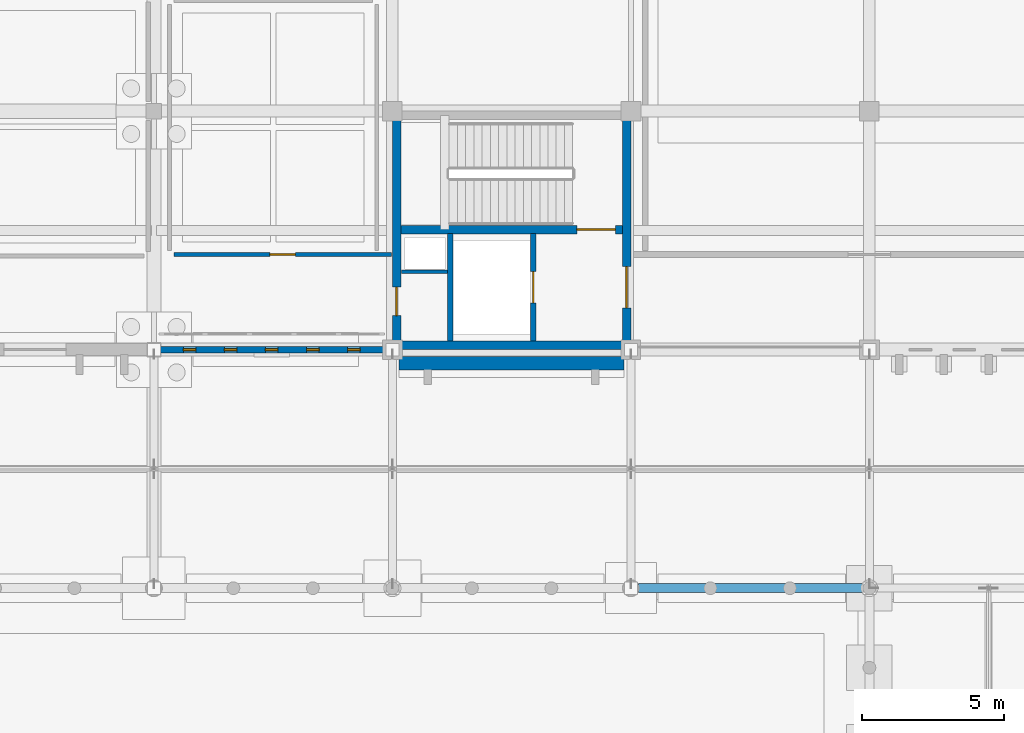
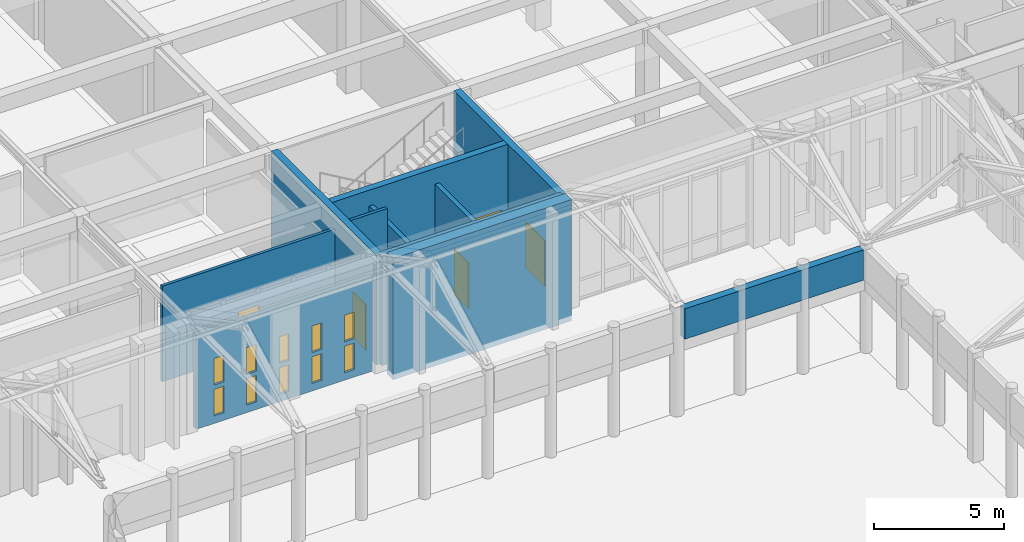
# One storey, part 121 of 143: 11 walls, 10 windows, 5 doors, 15 openings.
"""IFC4 building model written with IfcOpenShell, lengths in metres."""

from ifc_helpers import new_model, si_unit, direction, frame, frame_2d, origin, place, context, subcontext, project, spatial, rectangle, extrude, material, layer, layer_set, type_object, element, fill, save


model = new_model("IFC4")

# Units and contexts
model_context = context("Model", 3, precision=1e-05, world=origin(), true_north=direction((0.0, 1.0)))
body_context = subcontext(model_context, "Body", "Model", "MODEL_VIEW")
ifc_project = project(units=[si_unit("LENGTHUNIT", "METRE"), si_unit("AREAUNIT", "SQUARE_METRE"), si_unit("VOLUMEUNIT", "CUBIC_METRE"), si_unit("PLANEANGLEUNIT", "RADIAN"), si_unit("MASSUNIT", "GRAM", prefix="KILO")], contexts=[model_context])

# Site, building, storey
site_placement = place(None, origin())
site = spatial("IfcSite", under=ifc_project, at=site_placement, CompositionType="ELEMENT")
building_placement = place(site_placement, origin())
building = spatial("IfcBuilding", under=site, at=building_placement, Name="Kveldsbrygga Polytechnic", CompositionType="ELEMENT")
storey_placement = place(building_placement, origin())
storey = spatial("IfcBuildingStorey", under=building, at=storey_placement, Name="L00", CompositionType="ELEMENT", Elevation=0.0)

# Walls
ifc_material_1 = material(Name="Fired clay brick masonry M10", Category="masonry")
ifc_layer_1 = layer(ifc_material_1, 0.320068359375)
ifc_layer_set_1 = layer_set([ifc_layer_1], Name="Fired clay brick masonry M10")
wall_type_1 = type_object("IfcWallType", Name="EW-ARC-320", PredefinedType="SOLIDWALL", material=ifc_layer_set_1)
wall_1_placement = place(storey_placement, frame((109.4599609375, 75.60009765625, 3.455078125), z_axis=(0.0, 0.0, 1.0), x_axis=(1.0, 0.0, 0.0)))
element("IfcWall", 1, at=wall_1_placement, inside=storey, type_object=wall_type_1, Name="Cloister Arcade Brick Arch Header ARC-HDR-15", PredefinedType="SOLIDWALL", context=body_context, shape_type="SweptSolid", body=[
    extrude(rectangle(XDim=7.929931640625, YDim=0.320068359375, at=frame_2d((3.96484375, 0.0))), origin(), (0.0, 0.0, 1.0), 1.4248046875),
])
ifc_layer_2 = layer(ifc_material_1, 0.47998046875)
ifc_layer_set_2 = layer_set([ifc_layer_2], Name="Fired clay brick masonry M10")
wall_type_2 = type_object("IfcWallType", Name="EW-BAST-480", PredefinedType="SOLIDWALL", material=ifc_layer_set_2)
wall_2_placement = place(storey_placement, frame((101.0400390625, 83.52001953125, -0.25), z_axis=(0.0, 0.0, 1.0), x_axis=(1.0, 0.0, 0.0)))
element("IfcWall", 2, at=wall_2_placement, inside=storey, type_object=wall_type_2, Name="Corner Stair Bastion Wall BAST-L00-X-12-10", PredefinedType="SOLIDWALL", context=body_context, shape_type="SweptSolid", body=[
    extrude(rectangle(XDim=7.919921875, YDim=0.47998046875, at=frame_2d((3.9599609375, 0.0))), origin(), (0.0, 0.0, 1.0), 5.68994140625),
])

# Wall, openings, windows
ifc_layer_3 = layer(ifc_material_1, 0.239990234375)
ifc_layer_set_3 = layer_set([ifc_layer_3], Name="Fired clay brick masonry M10")
wall_type_3 = type_object("IfcWallType", Name="EW-SCRN-240", PredefinedType="SOLIDWALL", material=ifc_layer_set_3)
wall_3_placement = place(storey_placement, frame((92.635009765625, 84.0, 0.0), z_axis=(0.0, 0.0, 1.0), x_axis=(1.0, 0.0, 0.0)))
wall_3 = element("IfcWall", 3, at=wall_3_placement, inside=storey, type_object=wall_type_3, Name="Perforated Brick Corridor Screen Wall SCRW-L00-X-11-10", PredefinedType="SOLIDWALL", context=body_context, shape_type="SweptSolid", body=[
    extrude(rectangle(XDim=7.830078125, YDim=0.239990234375, at=frame_2d((3.9150390625, 0.0))), origin(), (0.0, 0.0, 1.0), 4.39990234375),
])
opening_1_placement = place(wall_3_placement, frame((0.802978515625, 0.0, 0.35009765625)))
opening_1 = element("IfcOpeningElement", 4, at=opening_1_placement, cuts=wall_3, Name="Opening W-48", PredefinedType="OPENING", context=body_context, shape_type="SweptSolid", body=[
    extrude(rectangle(XDim=0.43994140625, YDim=1.25, at=frame_2d((0.219970703125, 0.625))), frame((0.0, 0.1298828125, 0.0), z_axis=(0.0, -1.0, 0.0), x_axis=(1.0, 0.0, 0.0)), (0.0, 0.0, 1.0), 0.260009765625),
])
opening_2_placement = place(wall_3_placement, frame((2.2490234375, 0.0, 0.35009765625)))
opening_2 = element("IfcOpeningElement", 5, at=opening_2_placement, cuts=wall_3, Name="Opening W-48", PredefinedType="OPENING", context=body_context, shape_type="SweptSolid", body=[
    extrude(rectangle(XDim=0.43994140625, YDim=1.25, at=frame_2d((0.219970703125, 0.625))), frame((0.0, 0.1298828125, 0.0), z_axis=(0.0, -1.0, 0.0), x_axis=(1.0, 0.0, 0.0)), (0.0, 0.0, 1.0), 0.260009765625),
])
opening_3_placement = place(wall_3_placement, frame((3.695068359375, 0.0, 0.35009765625)))
opening_3 = element("IfcOpeningElement", 6, at=opening_3_placement, cuts=wall_3, Name="Opening W-48", PredefinedType="OPENING", context=body_context, shape_type="SweptSolid", body=[
    extrude(rectangle(XDim=0.43994140625, YDim=1.25, at=frame_2d((0.219970703125, 0.625))), frame((0.0, 0.1298828125, 0.0), z_axis=(0.0, -1.0, 0.0), x_axis=(1.0, 0.0, 0.0)), (0.0, 0.0, 1.0), 0.260009765625),
])
opening_4_placement = place(wall_3_placement, frame((5.14111328125, 0.0, 0.35009765625)))
opening_4 = element("IfcOpeningElement", 7, at=opening_4_placement, cuts=wall_3, Name="Opening W-48", PredefinedType="OPENING", context=body_context, shape_type="SweptSolid", body=[
    extrude(rectangle(XDim=0.43994140625, YDim=1.25, at=frame_2d((0.219970703125, 0.625))), frame((0.0, 0.1298828125, 0.0), z_axis=(0.0, -1.0, 0.0), x_axis=(1.0, 0.0, 0.0)), (0.0, 0.0, 1.0), 0.260009765625),
])
opening_5_placement = place(wall_3_placement, frame((6.5869140625, 0.0, 0.35009765625)))
opening_5 = element("IfcOpeningElement", 8, at=opening_5_placement, cuts=wall_3, Name="Opening W-48", PredefinedType="OPENING", context=body_context, shape_type="SweptSolid", body=[
    extrude(rectangle(XDim=0.43994140625, YDim=1.25, at=frame_2d((0.219970703125, 0.625))), frame((0.0, 0.1298828125, 0.0), z_axis=(0.0, -1.0, 0.0), x_axis=(1.0, 0.0, 0.0)), (0.0, 0.0, 1.0), 0.260009765625),
])
opening_6_placement = place(wall_3_placement, frame((0.802978515625, 0.0, 1.800048828125)))
opening_6 = element("IfcOpeningElement", 9, at=opening_6_placement, cuts=wall_3, Name="Opening W-48", PredefinedType="OPENING", context=body_context, shape_type="SweptSolid", body=[
    extrude(rectangle(XDim=0.43994140625, YDim=1.25, at=frame_2d((0.219970703125, 0.625))), frame((0.0, 0.1298828125, 0.0), z_axis=(0.0, -1.0, 0.0), x_axis=(1.0, 0.0, 0.0)), (0.0, 0.0, 1.0), 0.260009765625),
])
opening_7_placement = place(wall_3_placement, frame((2.2490234375, 0.0, 1.800048828125)))
opening_7 = element("IfcOpeningElement", 10, at=opening_7_placement, cuts=wall_3, Name="Opening W-48", PredefinedType="OPENING", context=body_context, shape_type="SweptSolid", body=[
    extrude(rectangle(XDim=0.43994140625, YDim=1.25, at=frame_2d((0.219970703125, 0.625))), frame((0.0, 0.1298828125, 0.0), z_axis=(0.0, -1.0, 0.0), x_axis=(1.0, 0.0, 0.0)), (0.0, 0.0, 1.0), 0.260009765625),
])
opening_8_placement = place(wall_3_placement, frame((3.695068359375, 0.0, 1.800048828125)))
opening_8 = element("IfcOpeningElement", 11, at=opening_8_placement, cuts=wall_3, Name="Opening W-48", PredefinedType="OPENING", context=body_context, shape_type="SweptSolid", body=[
    extrude(rectangle(XDim=0.43994140625, YDim=1.25, at=frame_2d((0.219970703125, 0.625))), frame((0.0, 0.1298828125, 0.0), z_axis=(0.0, -1.0, 0.0), x_axis=(1.0, 0.0, 0.0)), (0.0, 0.0, 1.0), 0.260009765625),
])
opening_9_placement = place(wall_3_placement, frame((5.14111328125, 0.0, 1.800048828125)))
opening_9 = element("IfcOpeningElement", 12, at=opening_9_placement, cuts=wall_3, Name="Opening W-48", PredefinedType="OPENING", context=body_context, shape_type="SweptSolid", body=[
    extrude(rectangle(XDim=0.43994140625, YDim=1.25, at=frame_2d((0.219970703125, 0.625))), frame((0.0, 0.1298828125, 0.0), z_axis=(0.0, -1.0, 0.0), x_axis=(1.0, 0.0, 0.0)), (0.0, 0.0, 1.0), 0.260009765625),
])
opening_10_placement = place(wall_3_placement, frame((6.5869140625, 0.0, 1.800048828125)))
opening_10 = element("IfcOpeningElement", 13, at=opening_10_placement, cuts=wall_3, Name="Opening W-48", PredefinedType="OPENING", context=body_context, shape_type="SweptSolid", body=[
    extrude(rectangle(XDim=0.43994140625, YDim=1.25, at=frame_2d((0.219970703125, 0.625))), frame((0.0, 0.1298828125, 0.0), z_axis=(0.0, -1.0, 0.0), x_axis=(1.0, 0.0, 0.0)), (0.0, 0.0, 1.0), 0.260009765625),
])
ifc_material_2 = material(Name="Insulated triple low-E glass", Category="glass")
window_type = type_object("IfcWindowType", Name="WN-SCRN-044x125", PartitioningType="SINGLE_PANEL", PredefinedType="WINDOW", material=ifc_material_2)
window_1_placement = place(opening_1_placement, origin())
window_1 = element("IfcWindow", 14, at=window_1_placement, inside=storey, type_object=window_type, Name="Perforated Screen Aperture L00-X-11-10-1", OverallHeight=1.25, OverallWidth=0.43994140625, PartitioningType="SINGLE_PANEL", PredefinedType="WINDOW", context=body_context, shape_type="SweptSolid", body=[
    extrude(rectangle(XDim=0.43994140625, YDim=1.25, at=frame_2d((0.219970703125, 0.625))), frame((0.0, 0.030029296875, 0.0), z_axis=(0.0, -1.0, 0.0), x_axis=(1.0, 0.0, 0.0)), (0.0, 0.0, 1.0), 0.06005859375),
])
fill(opening_1, window_1)
window_2_placement = place(opening_2_placement, origin())
window_2 = element("IfcWindow", 15, at=window_2_placement, inside=storey, type_object=window_type, Name="Perforated Screen Aperture L00-X-11-10-2", OverallHeight=1.25, OverallWidth=0.43994140625, PartitioningType="SINGLE_PANEL", PredefinedType="WINDOW", context=body_context, shape_type="SweptSolid", body=[
    extrude(rectangle(XDim=0.43994140625, YDim=1.25, at=frame_2d((0.219970703125, 0.625))), frame((0.0, 0.030029296875, 0.0), z_axis=(0.0, -1.0, 0.0), x_axis=(1.0, 0.0, 0.0)), (0.0, 0.0, 1.0), 0.06005859375),
])
fill(opening_2, window_2)
window_3_placement = place(opening_3_placement, origin())
window_3 = element("IfcWindow", 16, at=window_3_placement, inside=storey, type_object=window_type, Name="Perforated Screen Aperture L00-X-11-10-3", OverallHeight=1.25, OverallWidth=0.43994140625, PartitioningType="SINGLE_PANEL", PredefinedType="WINDOW", context=body_context, shape_type="SweptSolid", body=[
    extrude(rectangle(XDim=0.43994140625, YDim=1.25, at=frame_2d((0.219970703125, 0.625))), frame((0.0, 0.030029296875, 0.0), z_axis=(0.0, -1.0, 0.0), x_axis=(1.0, 0.0, 0.0)), (0.0, 0.0, 1.0), 0.06005859375),
])
fill(opening_3, window_3)
window_4_placement = place(opening_4_placement, origin())
window_4 = element("IfcWindow", 17, at=window_4_placement, inside=storey, type_object=window_type, Name="Perforated Screen Aperture L00-X-11-10-4", OverallHeight=1.25, OverallWidth=0.43994140625, PartitioningType="SINGLE_PANEL", PredefinedType="WINDOW", context=body_context, shape_type="SweptSolid", body=[
    extrude(rectangle(XDim=0.43994140625, YDim=1.25, at=frame_2d((0.219970703125, 0.625))), frame((0.0, 0.030029296875, 0.0), z_axis=(0.0, -1.0, 0.0), x_axis=(1.0, 0.0, 0.0)), (0.0, 0.0, 1.0), 0.06005859375),
])
fill(opening_4, window_4)
window_5_placement = place(opening_5_placement, origin())
window_5 = element("IfcWindow", 18, at=window_5_placement, inside=storey, type_object=window_type, Name="Perforated Screen Aperture L00-X-11-10-5", OverallHeight=1.25, OverallWidth=0.43994140625, PartitioningType="SINGLE_PANEL", PredefinedType="WINDOW", context=body_context, shape_type="SweptSolid", body=[
    extrude(rectangle(XDim=0.43994140625, YDim=1.25, at=frame_2d((0.219970703125, 0.625))), frame((0.0, 0.030029296875, 0.0), z_axis=(0.0, -1.0, 0.0), x_axis=(1.0, 0.0, 0.0)), (0.0, 0.0, 1.0), 0.06005859375),
])
fill(opening_5, window_5)
window_6_placement = place(opening_6_placement, origin())
window_6 = element("IfcWindow", 19, at=window_6_placement, inside=storey, type_object=window_type, Name="Perforated Screen Aperture L00-X-11-10-6", OverallHeight=1.25, OverallWidth=0.43994140625, PartitioningType="SINGLE_PANEL", PredefinedType="WINDOW", context=body_context, shape_type="SweptSolid", body=[
    extrude(rectangle(XDim=0.43994140625, YDim=1.25, at=frame_2d((0.219970703125, 0.625))), frame((0.0, 0.030029296875, 0.0), z_axis=(0.0, -1.0, 0.0), x_axis=(1.0, 0.0, 0.0)), (0.0, 0.0, 1.0), 0.06005859375),
])
fill(opening_6, window_6)
window_7_placement = place(opening_7_placement, origin())
window_7 = element("IfcWindow", 20, at=window_7_placement, inside=storey, type_object=window_type, Name="Perforated Screen Aperture L00-X-11-10-7", OverallHeight=1.25, OverallWidth=0.43994140625, PartitioningType="SINGLE_PANEL", PredefinedType="WINDOW", context=body_context, shape_type="SweptSolid", body=[
    extrude(rectangle(XDim=0.43994140625, YDim=1.25, at=frame_2d((0.219970703125, 0.625))), frame((0.0, 0.030029296875, 0.0), z_axis=(0.0, -1.0, 0.0), x_axis=(1.0, 0.0, 0.0)), (0.0, 0.0, 1.0), 0.06005859375),
])
fill(opening_7, window_7)
window_8_placement = place(opening_8_placement, origin())
window_8 = element("IfcWindow", 21, at=window_8_placement, inside=storey, type_object=window_type, Name="Perforated Screen Aperture L00-X-11-10-8", OverallHeight=1.25, OverallWidth=0.43994140625, PartitioningType="SINGLE_PANEL", PredefinedType="WINDOW", context=body_context, shape_type="SweptSolid", body=[
    extrude(rectangle(XDim=0.43994140625, YDim=1.25, at=frame_2d((0.219970703125, 0.625))), frame((0.0, 0.030029296875, 0.0), z_axis=(0.0, -1.0, 0.0), x_axis=(1.0, 0.0, 0.0)), (0.0, 0.0, 1.0), 0.06005859375),
])
fill(opening_8, window_8)
window_9_placement = place(opening_9_placement, origin())
window_9 = element("IfcWindow", 22, at=window_9_placement, inside=storey, type_object=window_type, Name="Perforated Screen Aperture L00-X-11-10-9", OverallHeight=1.25, OverallWidth=0.43994140625, PartitioningType="SINGLE_PANEL", PredefinedType="WINDOW", context=body_context, shape_type="SweptSolid", body=[
    extrude(rectangle(XDim=0.43994140625, YDim=1.25, at=frame_2d((0.219970703125, 0.625))), frame((0.0, 0.030029296875, 0.0), z_axis=(0.0, -1.0, 0.0), x_axis=(1.0, 0.0, 0.0)), (0.0, 0.0, 1.0), 0.06005859375),
])
fill(opening_9, window_9)
window_10_placement = place(opening_10_placement, origin())
window_10 = element("IfcWindow", 23, at=window_10_placement, inside=storey, type_object=window_type, Name="Perforated Screen Aperture L00-X-11-10-10", OverallHeight=1.25, OverallWidth=0.43994140625, PartitioningType="SINGLE_PANEL", PredefinedType="WINDOW", context=body_context, shape_type="SweptSolid", body=[
    extrude(rectangle(XDim=0.43994140625, YDim=1.25, at=frame_2d((0.219970703125, 0.625))), frame((0.0, 0.030029296875, 0.0), z_axis=(0.0, -1.0, 0.0), x_axis=(1.0, 0.0, 0.0)), (0.0, 0.0, 1.0), 0.06005859375),
])
fill(opening_10, window_10)

# Wall
ifc_material_3 = material(Name="Moisture-resistant masonry M10", Category="masonry")
ifc_layer_4 = layer(ifc_material_3, 0.1298828125)
ifc_layer_set_4 = layer_set([ifc_layer_4], Name="Moisture-resistant masonry M10")
wall_type_4 = type_object("IfcWallType", Name="IW-SAN-130", PredefinedType="PARTITIONING", material=ifc_layer_set_4)
wall_4_placement = place(storey_placement, frame((101.1201171875, 86.739990234375, 0.0), z_axis=(0.0, 0.0, 1.0), x_axis=(1.0, 0.0, 0.0)))
element("IfcWall", 24, at=wall_4_placement, inside=storey, type_object=wall_type_4, Name="Core AWC Divider C5-L00-W-RSR", PredefinedType="PARTITIONING", context=body_context, shape_type="SweptSolid", body=[
    extrude(rectangle(XDim=1.619873046875, YDim=0.1298828125, at=frame_2d((0.81005859375, 0.0))), origin(), (0.0, 0.0, 1.0), 5.139892578125),
])

# Wall, opening, door
wall_5_placement = place(storey_placement, frame((93.10009765625, 87.35009765625, 0.0), z_axis=(0.0, 0.0, 1.0), x_axis=(1.0, 0.0, 0.0)))
wall_5 = element("IfcWall", 25, at=wall_5_placement, inside=storey, type_object=wall_type_4, Name="Partition Wall IW-SP-L00-V2WC-S1", PredefinedType="PARTITIONING", context=body_context, shape_type="SweptSolid", body=[
    extrude(rectangle(XDim=7.669921875, YDim=0.1298828125, at=frame_2d((3.8349609375, 0.0))), origin(), (0.0, 0.0, 1.0), 4.489990234375),
])
opening_11_placement = place(wall_5_placement, frame((3.385009765625, 0.0, 0.0)))
opening_11 = element("IfcOpeningElement", 26, at=opening_11_placement, cuts=wall_5, Name="Opening ID-L00-027", PredefinedType="OPENING", context=body_context, shape_type="SweptSolid", body=[
    extrude(rectangle(XDim=0.89990234375, YDim=2.10009765625, at=frame_2d((0.449951171875, 1.050048828125))), frame((0.0, 0.074951171875, 0.0), z_axis=(0.0, -1.0, 0.0), x_axis=(1.0, 0.0, 0.0)), (0.0, 0.0, 1.0), 0.14990234375),
])
ifc_material_4 = material(Name="Acoustic oak timber", Category="wood")
door_type_1 = type_object("IfcDoorType", Name="ID-SAN-090x210", OperationType="NOTDEFINED", PredefinedType="DOOR", material=ifc_material_4)
door_1_placement = place(opening_11_placement, origin())
door_1 = element("IfcDoor", 27, at=door_1_placement, inside=storey, type_object=door_type_1, Name="Interior Door ID-L00-027", OperationType="SINGLE_SWING_RIGHT", OverallHeight=2.10009765625, OverallWidth=0.89990234375, PredefinedType="DOOR", context=body_context, shape_type="SweptSolid", body=[
    extrude(rectangle(XDim=0.89990234375, YDim=2.10009765625, at=frame_2d((0.449951171875, 1.050048828125))), frame((0.0, 0.02490234375, 0.0), z_axis=(0.0, -1.0, 0.0), x_axis=(1.0, 0.0, 0.0)), (0.0, 0.0, 1.0), 0.050048828125),
])
fill(opening_11, door_1)

# Wall
ifc_material_5 = material(Name="Concrete C45/55", Category="concrete")
ifc_layer_5 = layer(ifc_material_5, 0.300048828125)
ifc_layer_set_5 = layer_set([ifc_layer_5], Name="Concrete C45/55")
wall_type_5 = type_object("IfcWallType", Name="WL-CORE-300", PredefinedType="SHEAR", material=ifc_layer_set_5)
wall_6_placement = place(storey_placement, frame((100.949951171875, 84.14990234375, 0.0), z_axis=(0.0, 0.0, 1.0), x_axis=(1.0, 0.0, 0.0)))
element("IfcWall", 28, at=wall_6_placement, inside=storey, type_object=wall_type_5, Name="Core C5 Shear Wall C5-L00-SW-S", PredefinedType="SHEAR", context=body_context, shape_type="SweptSolid", body=[
    extrude(rectangle(XDim=8.10009765625, YDim=0.300048828125, at=frame_2d((4.050048828125, 0.0))), origin(), (0.0, 0.0, 1.0), 5.139892578125),
])

# Wall, opening, door
wall_7_placement = place(storey_placement, frame((100.949951171875, 84.14990234375, 0.0), z_axis=(0.0, 0.0, 1.0), x_axis=(0.0, 1.0, 0.0)))
wall_7 = element("IfcWall", 29, at=wall_7_placement, inside=storey, type_object=wall_type_5, Name="Core C5 Shear Wall C5-L00-SW-W", PredefinedType="SHEAR", context=body_context, shape_type="SweptSolid", body=[
    extrude(rectangle(XDim=8.10009765625, YDim=0.300048828125, at=frame_2d((4.050048828125, 0.0))), origin(), (0.0, 0.0, 1.0), 5.139892578125),
])
opening_12_placement = place(wall_7_placement, frame((1.050048828125, 0.0, 0.0)))
opening_12 = element("IfcOpeningElement", 30, at=opening_12_placement, cuts=wall_7, Name="Opening ID-C5-L00-AWC", PredefinedType="OPENING", context=body_context, shape_type="SweptSolid", body=[
    extrude(rectangle(XDim=1.0, YDim=2.14990234375, at=frame_2d((0.5, 1.074951171875))), frame((0.0, 0.16015625, 0.0), z_axis=(0.0, -1.0, 0.0), x_axis=(1.0, 0.0, 0.0)), (0.0, 0.0, 1.0), 0.320068359375),
])
door_type_2 = type_object("IfcDoorType", Name="ID-AWC-100x215", OperationType="NOTDEFINED", PredefinedType="DOOR", material=ifc_material_4)
door_2_placement = place(opening_12_placement, origin())
door_2 = element("IfcDoor", 31, at=door_2_placement, inside=storey, type_object=door_type_2, Name="Accessible WC Door ID-C5-L00-AWC", OperationType="SINGLE_SWING_LEFT", OverallHeight=2.14990234375, OverallWidth=1.0, PredefinedType="DOOR", context=body_context, shape_type="SweptSolid", body=[
    extrude(rectangle(XDim=1.0, YDim=2.14990234375, at=frame_2d((0.5, 1.074951171875))), frame((0.0, 0.02490234375, 0.0), z_axis=(0.0, -1.0, 0.0), x_axis=(1.0, 0.0, 0.0)), (0.0, 0.0, 1.0), 0.050048828125),
])
fill(opening_12, door_2)

wall_8_placement = place(storey_placement, frame((109.050048828125, 84.14990234375, 0.0), z_axis=(0.0, 0.0, 1.0), x_axis=(0.0, 1.0, 0.0)))
wall_8 = element("IfcWall", 32, at=wall_8_placement, inside=storey, type_object=wall_type_5, Name="Core C5 Shear Wall C5-L00-SW-E", PredefinedType="SHEAR", context=body_context, shape_type="SweptSolid", body=[
    extrude(rectangle(XDim=8.10009765625, YDim=0.300048828125, at=frame_2d((4.050048828125, 0.0))), origin(), (0.0, 0.0, 1.0), 5.139892578125),
])
opening_13_placement = place(wall_8_placement, frame((1.324951171875, 0.0, 0.0)))
opening_13 = element("IfcOpeningElement", 33, at=opening_13_placement, cuts=wall_8, Name="Opening FD-C5-L00-LOB", PredefinedType="OPENING", context=body_context, shape_type="SweptSolid", body=[
    extrude(rectangle(XDim=1.449951171875, YDim=2.14990234375, at=frame_2d((0.72509765625, 1.074951171875))), frame((0.0, 0.16015625, 0.0), z_axis=(0.0, -1.0, 0.0), x_axis=(1.0, 0.0, 0.0)), (0.0, 0.0, 1.0), 0.320068359375),
])
ifc_material_6 = material(Name="Powder-coated galvanised steel", Category="steel")
door_type_3 = type_object("IfcDoorType", Name="ID-LOBBY-145x215", OperationType="DOUBLE_DOOR_SINGLE_SWING", PredefinedType="DOOR", material=ifc_material_6)
door_3_placement = place(opening_13_placement, origin())
door_3 = element("IfcDoor", 34, at=door_3_placement, inside=storey, type_object=door_type_3, Name="Core Lobby Fire Door FD-C5-L00-LOB", OperationType="DOUBLE_DOOR_SINGLE_SWING", OverallHeight=2.14990234375, OverallWidth=1.449951171875, PredefinedType="DOOR", context=body_context, shape_type="SweptSolid", body=[
    extrude(rectangle(XDim=1.449951171875, YDim=2.14990234375, at=frame_2d((0.72509765625, 1.074951171875))), frame((0.0, 0.02490234375, 0.0), z_axis=(0.0, -1.0, 0.0), x_axis=(1.0, 0.0, 0.0)), (0.0, 0.0, 1.0), 0.050048828125),
])
fill(opening_13, door_3)

wall_9_placement = place(storey_placement, frame((101.10009765625, 88.22998046875, 0.0), z_axis=(0.0, 0.0, 1.0), x_axis=(1.0, 0.0, 0.0)))
wall_9 = element("IfcWall", 35, at=wall_9_placement, inside=storey, type_object=wall_type_5, Name="Core C5 Shear Wall C5-L00-W-DIV", PredefinedType="SHEAR", context=body_context, shape_type="SweptSolid", body=[
    extrude(rectangle(XDim=7.7998046875, YDim=0.300048828125, at=frame_2d((3.89990234375, 0.0))), origin(), (0.0, 0.0, 1.0), 5.139892578125),
])
opening_14_placement = place(wall_9_placement, frame((6.199951171875, 0.0, 0.0)))
opening_14 = element("IfcOpeningElement", 36, at=opening_14_placement, cuts=wall_9, Name="Opening FD-C5-L00-ST", PredefinedType="OPENING", context=body_context, shape_type="SweptSolid", body=[
    extrude(rectangle(XDim=1.35009765625, YDim=2.14990234375, at=frame_2d((0.675048828125, 1.074951171875))), frame((0.0, 0.16015625, 0.0), z_axis=(0.0, -1.0, 0.0), x_axis=(1.0, 0.0, 0.0)), (0.0, 0.0, 1.0), 0.320068359375),
])
door_type_4 = type_object("IfcDoorType", Name="ID-STAIR-135x215", OperationType="NOTDEFINED", PredefinedType="DOOR", material=ifc_material_6)
door_4_placement = place(opening_14_placement, origin())
door_4 = element("IfcDoor", 37, at=door_4_placement, inside=storey, type_object=door_type_4, Name="Stair Fire Door FD-C5-L00-ST", OperationType="SINGLE_SWING_RIGHT", OverallHeight=2.14990234375, OverallWidth=1.35009765625, PredefinedType="DOOR", context=body_context, shape_type="SweptSolid", body=[
    extrude(rectangle(XDim=1.35009765625, YDim=2.14990234375, at=frame_2d((0.675048828125, 1.074951171875))), frame((0.0, 0.02490234375, 0.0), z_axis=(0.0, -1.0, 0.0), x_axis=(1.0, 0.0, 0.0)), (0.0, 0.0, 1.0), 0.050048828125),
])
fill(opening_14, door_4)

ifc_material_7 = material(Name="Concrete C35/45", Category="concrete")
ifc_layer_6 = layer(ifc_material_7, 0.199951171875)
ifc_layer_set_6 = layer_set([ifc_layer_6], Name="Concrete C35/45")
wall_type_6 = type_object("IfcWallType", Name="WL-SHFT-200", PredefinedType="SHEAR", material=ifc_layer_set_6)
wall_10_placement = place(storey_placement, frame((105.760009765625, 84.300048828125, 0.0), z_axis=(0.0, 0.0, 1.0), x_axis=(0.0, 1.0, 0.0)))
wall_10 = element("IfcWall", 38, at=wall_10_placement, inside=storey, type_object=wall_type_6, Name="Lift Front Wall C5-L00-W-LFR", PredefinedType="SHEAR", context=body_context, shape_type="SweptSolid", body=[
    extrude(rectangle(XDim=3.800048828125, YDim=0.199951171875, at=frame_2d((1.89990234375, 0.0))), origin(), (0.0, 0.0, 1.0), 4.39990234375),
])
opening_15_placement = place(wall_10_placement, frame((1.35009765625, 0.0, 0.0)))
opening_15 = element("IfcOpeningElement", 39, at=opening_15_placement, cuts=wall_10, Name="Opening LD-LP-5", PredefinedType="OPENING", context=body_context, shape_type="SweptSolid", body=[
    extrude(rectangle(XDim=1.10009765625, YDim=2.14990234375, at=frame_2d((0.550048828125, 1.074951171875))), frame((0.0, 0.10986328125, 0.0), z_axis=(0.0, -1.0, 0.0), x_axis=(1.0, 0.0, 0.0)), (0.0, 0.0, 1.0), 0.219970703125),
])
ifc_material_8 = material(Name="Brushed stainless steel EN 1.4401", Category="steel")
door_type_5 = type_object("IfcDoorType", Name="LD-PAX-110x215", OperationType="SLIDING_TO_LEFT", PredefinedType="DOOR", material=ifc_material_8)
door_5_placement = place(opening_15_placement, origin())
door_5 = element("IfcDoor", 40, at=door_5_placement, inside=storey, type_object=door_type_5, Name="Lift Landing Sliding Door LD-LP-5-L00", OperationType="SLIDING_TO_LEFT", OverallHeight=2.14990234375, OverallWidth=1.10009765625, PredefinedType="DOOR", context=body_context, shape_type="SweptSolid", body=[
    extrude(rectangle(XDim=1.10009765625, YDim=2.14990234375, at=frame_2d((0.550048828125, 1.074951171875))), frame((0.0, 0.02490234375, 0.0), z_axis=(0.0, -1.0, 0.0), x_axis=(1.0, 0.0, 0.0)), (0.0, 0.0, 1.0), 0.050048828125),
])
fill(opening_15, door_5)

# Wall
wall_11_placement = place(storey_placement, frame((102.840087890625, 84.300048828125, 0.0), z_axis=(0.0, 0.0, 1.0), x_axis=(0.0, 1.0, 0.0)))
element("IfcWall", 41, at=wall_11_placement, inside=storey, type_object=wall_type_6, Name="Lift Back Wall C5-L00-W-LBK", PredefinedType="SHEAR", context=body_context, shape_type="SweptSolid", body=[
    extrude(rectangle(XDim=3.800048828125, YDim=0.199951171875, at=frame_2d((1.89990234375, 0.0))), origin(), (0.0, 0.0, 1.0), 4.39990234375),
])

save(model, "model.ifc")
